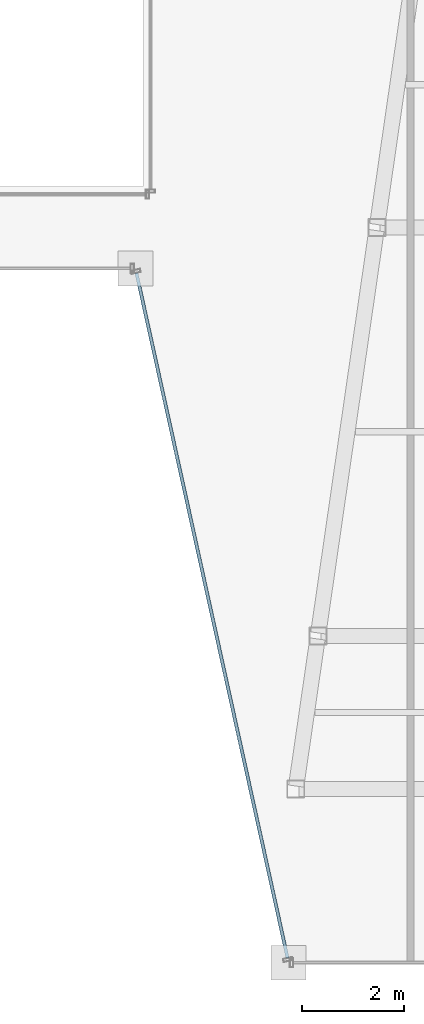
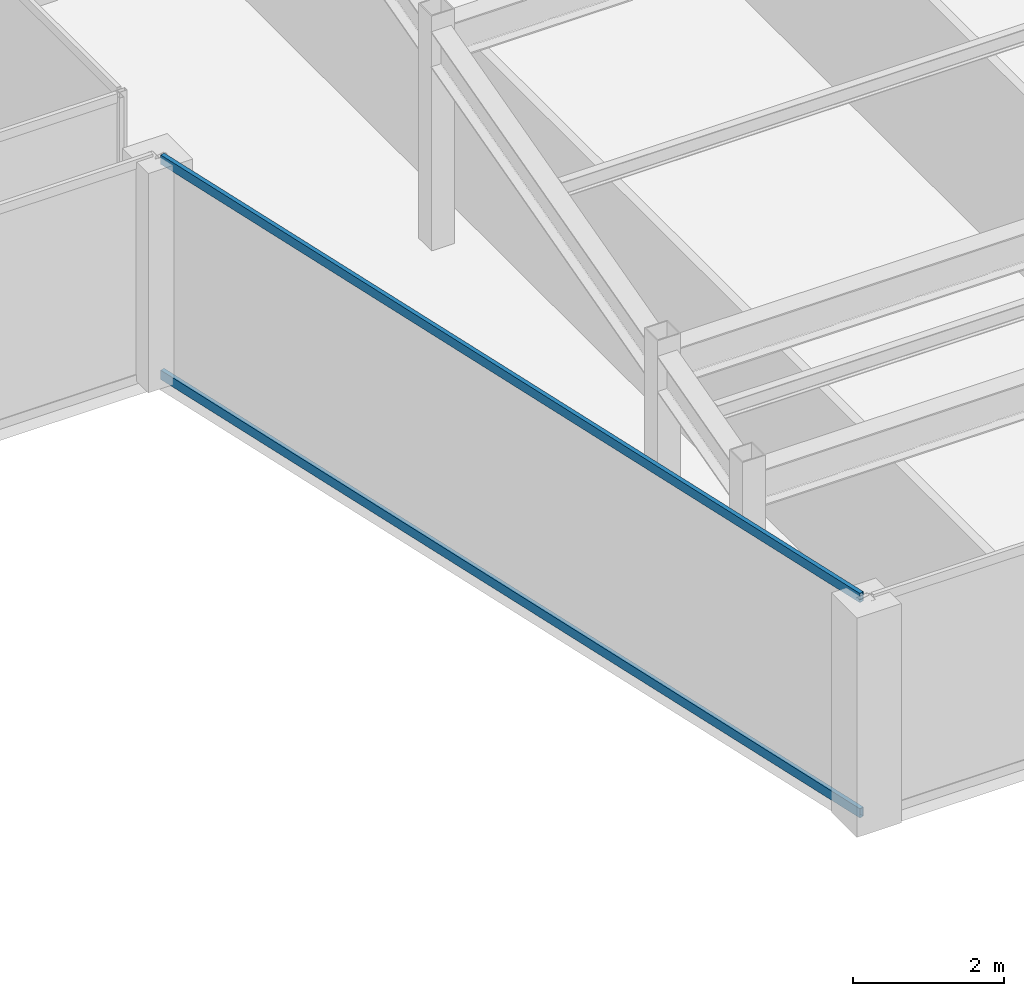
# One storey, part 13 of 32: 2 members, 1 element without a shape of its own.
"""IFC4 building model written with IfcOpenShell, lengths in metres."""

from ifc_helpers import new_model, si_unit, direction, frame, origin, origin_2d, place, context, subcontext, project, spatial, hollow_rectangle, extrude, material, material_profile, profile_set, type_object, element, aggregate, save


model = new_model("IFC4")

# Units and contexts
model_context = context("Model", 3, precision=1e-05, world=origin(), true_north=direction((0.0, 1.0)))
body_context = subcontext(model_context, "Body", "Model", "MODEL_VIEW")
ifc_project = project(units=[si_unit("LENGTHUNIT", "METRE"), si_unit("AREAUNIT", "SQUARE_METRE"), si_unit("VOLUMEUNIT", "CUBIC_METRE"), si_unit("PLANEANGLEUNIT", "RADIAN"), si_unit("MASSUNIT", "GRAM", prefix="KILO")], contexts=[model_context])

# Site, building, storey
site_placement = place(None, origin())
site = spatial("IfcSite", under=ifc_project, at=site_placement, CompositionType="ELEMENT")
building_placement = place(site_placement, origin())
building = spatial("IfcBuilding", under=site, at=building_placement, Name="Saevonmaru Cultural Tower", CompositionType="ELEMENT")
storey_placement = place(building_placement, frame((0.0, 0.0, 245.800048828125)))
storey = spatial("IfcBuildingStorey", under=building, at=storey_placement, Name="L57", CompositionType="ELEMENT", Elevation=245.800048828125)

# Curtain wall, members
ifc_material = material(Name="Satin Bronze Anodised Aluminium", Category="aluminium")
curtain_wall_type = type_object("IfcCurtainWallType", Name="CW-TYP-B", PredefinedType="NOTDEFINED", material=ifc_material)
curtain_wall_placement = place(storey_placement, origin())
curtain_wall = element("IfcCurtainWall", 1, at=curtain_wall_placement, inside=storey, type_object=curtain_wall_type, Name="L57 Unitised Curtain Wall E5", PredefinedType="NOTDEFINED")
ifc_material_profile = material_profile(ifc_material, hollow_rectangle(XDim=0.06494140625, YDim=0.14990234375, WallThickness=0.00390625, at=origin_2d()), Name="ALU-TRAN-150x65x4")
ifc_profile_set = profile_set([ifc_material_profile], Name="Satin Bronze Anodised Aluminium")
member_type = type_object("IfcMemberType", Name="TR-CW-150x65", PredefinedType="USERDEFINED", material=ifc_profile_set)
member_1_placement = place(storey_placement, frame((35.673095703125, 31.109619140625, 0.032470703125), z_axis=(0.215415884539, -0.976522399481, 0.0), x_axis=(0.976522399481, 0.215415884539, 0.0)))
member_1 = element("IfcMember", 2, at=member_1_placement, type_object=member_type, Name="CW-TW-L57-E5 transom 1.1", ObjectType="TRANSOM", PredefinedType="USERDEFINED", context=body_context, shape_type="SweptSolid", body=[
    extrude(hollow_rectangle(XDim=0.06494140625, YDim=0.14990234375, WallThickness=0.00390625, at=origin_2d()), origin(), (0.0, 0.0, 1.0), 13.74169921875),
])
member_2_placement = place(storey_placement, frame((35.673095703125, 31.109619140625, 3.517333984375), z_axis=(0.215415884539, -0.976522399481, 0.0), x_axis=(0.976522399481, 0.215415884539, 0.0)))
member_2 = element("IfcMember", 3, at=member_2_placement, type_object=member_type, Name="CW-TW-L57-E5 transom 1.2", ObjectType="TRANSOM", PredefinedType="USERDEFINED", context=body_context, shape_type="SweptSolid", body=[
    extrude(hollow_rectangle(XDim=0.06494140625, YDim=0.14990234375, WallThickness=0.00390625, at=origin_2d()), origin(), (0.0, 0.0, 1.0), 13.74169921875),
])
aggregate(curtain_wall, [member_1, member_2])

save(model, "model.ifc")
